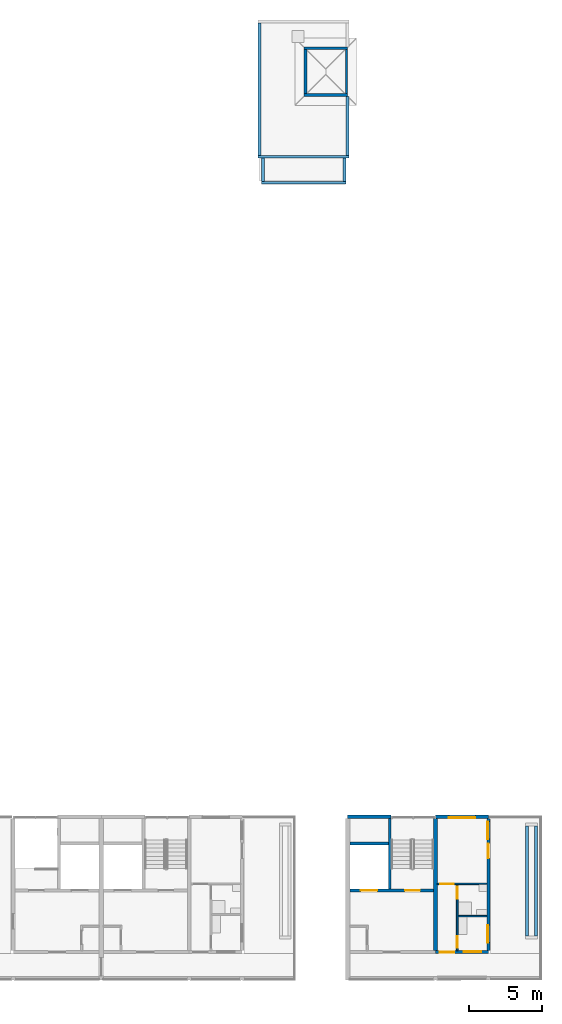
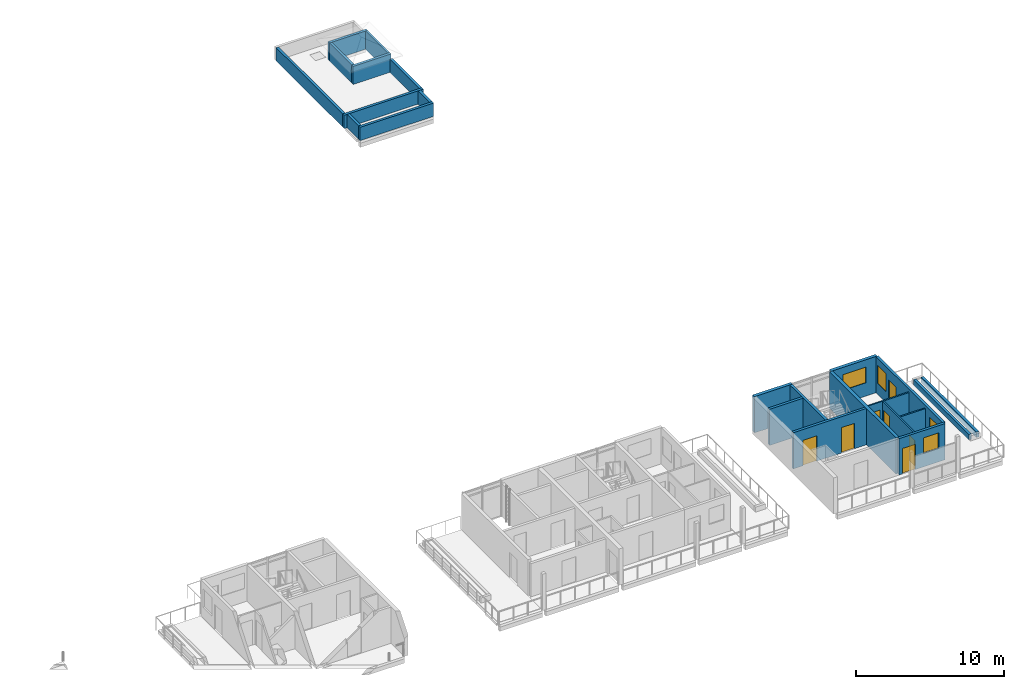
# One storey, part 25 of 41: 23 walls, 7 doors, 4 windows, 11 openings.
"""IFC4 building model written with IfcOpenShell, lengths in metres."""

from ifc_helpers import new_model, si_unit, direction, frame, frame_2d, origin, place, context, subcontext, project, spatial, rectangle, extrude, material, layer, layer_set, type_object, element, fill, save


model = new_model("IFC4")

# Units and contexts
model_context = context("Model", 3, precision=1e-05, world=origin(), true_north=direction((0.0, 1.0)))
body_context = subcontext(model_context, "Body", "Model", "MODEL_VIEW")
ifc_project = project(units=[si_unit("LENGTHUNIT", "METRE"), si_unit("AREAUNIT", "SQUARE_METRE"), si_unit("VOLUMEUNIT", "CUBIC_METRE"), si_unit("PLANEANGLEUNIT", "RADIAN"), si_unit("MASSUNIT", "GRAM", prefix="KILO")], contexts=[model_context])

# Site, building, storey
site_placement = place(None, origin())
site = spatial("IfcSite", under=ifc_project, at=site_placement, CompositionType="ELEMENT")
building_placement = place(site_placement, origin())
building = spatial("IfcBuilding", under=site, at=building_placement, Name="Ridgestep Commons", CompositionType="ELEMENT")
storey_placement = place(building_placement, frame((0.0, 0.0, 39.0)))
storey = spatial("IfcBuildingStorey", under=building, at=storey_placement, Name="L13", CompositionType="ELEMENT", Elevation=39.0)

# Wall
ifc_material_1 = material(Name="Concrete C30/37", Category="concrete")
ifc_layer_1 = layer(ifc_material_1, 0.25)
ifc_layer_set_1 = layer_set([ifc_layer_1], Name="Core cross wall 250")
wall_type_1 = type_object("IfcWallType", Name="Core cross wall 250", PredefinedType="SHEAR", material=ifc_layer_set_1)
wall_1_placement = place(storey_placement, frame((236.800048828125, 13.75, 0.0), z_axis=(0.0, 0.0, 1.0), x_axis=(0.0, 1.0, 0.0)))
element("IfcWall", 1, at=wall_1_placement, inside=storey, type_object=wall_type_1, Name="Cross wall D-13-2368", PredefinedType="SHEAR", context=body_context, shape_type="SweptSolid", body=[
    extrude(rectangle(XDim=9.0, YDim=0.25, at=frame_2d((4.5, 0.0))), origin(), (0.0, 0.0, 1.0), 3.0),
])

# Wall, openings, doors
ifc_material_2 = material(Name="Concrete C30/37", Category="concrete")
ifc_layer_2 = layer(ifc_material_2, 0.199951171875)
ifc_layer_set_2 = layer_set([ifc_layer_2], Name="Core wall 200")
wall_type_2 = type_object("IfcWallType", Name="Core wall 200", PredefinedType="SHEAR", material=ifc_layer_set_2)
wall_2_placement = place(storey_placement, frame((230.949951171875, 17.85009765625, 0.0), z_axis=(0.0, 0.0, 1.0), x_axis=(1.0, 0.0, 0.0)))
wall_2 = element("IfcWall", 2, at=wall_2_placement, inside=storey, type_object=wall_type_2, Name="Core lobby wall D6C L13", PredefinedType="SHEAR", context=body_context, shape_type="SweptSolid", body=[
    extrude(rectangle(XDim=5.72509765625, YDim=0.199951171875, at=frame_2d((2.862548828125, 0.0))), origin(), (0.0, 0.0, 1.0), 3.0),
])
opening_1_placement = place(wall_2_placement, frame((3.77490234375, 0.0, 0.0)))
opening_1 = element("IfcOpeningElement", 3, at=opening_1_placement, cuts=wall_2, Name="Opening D6C/13/2", PredefinedType="OPENING", context=body_context, shape_type="SweptSolid", body=[
    extrude(rectangle(XDim=1.0, YDim=2.10009765625, at=frame_2d((0.5, 1.050048828125))), frame((0.0, 0.10986328125, 0.0), z_axis=(0.0, -1.0, 0.0), x_axis=(1.0, 0.0, 0.0)), (0.0, 0.0, 1.0), 0.219970703125),
])
opening_2_placement = place(wall_2_placement, frame((0.762451171875, 0.0, 0.0)))
opening_2 = element("IfcOpeningElement", 4, at=opening_2_placement, cuts=wall_2, Name="Opening D6C/13/3", PredefinedType="OPENING", context=body_context, shape_type="SweptSolid", body=[
    extrude(rectangle(XDim=1.10009765625, YDim=2.10009765625, at=frame_2d((0.550048828125, 1.050048828125))), frame((0.0, 0.10986328125, 0.0), z_axis=(0.0, -1.0, 0.0), x_axis=(1.0, 0.0, 0.0)), (0.0, 0.0, 1.0), 0.219970703125),
])
ifc_material_3 = material(Name="Stainless steel", Category="steel")
door_type_1 = type_object("IfcDoorType", Name="Lift landing door 1100 x 2100 FD60", OperationType="DOUBLE_DOOR_SLIDING", PredefinedType="DOOR", material=ifc_material_3)
door_1_placement = place(opening_2_placement, origin())
door_1 = element("IfcDoor", 5, at=door_1_placement, inside=storey, type_object=door_type_1, Name="Landing door LD D6C L13", OperationType="DOUBLE_DOOR_SLIDING", OverallHeight=2.10009765625, OverallWidth=1.10009765625, PredefinedType="DOOR", context=body_context, shape_type="SweptSolid", body=[
    extrude(rectangle(XDim=1.10009765625, YDim=2.10009765625, at=frame_2d((0.550048828125, 1.050048828125))), frame((0.0, 0.02490234375, 0.0), z_axis=(0.0, -1.0, 0.0), x_axis=(1.0, 0.0, 0.0)), (0.0, 0.0, 1.0), 0.050048828125),
])
fill(opening_2, door_1)
ifc_material_4 = material(Name="Steel fire door", Category="steel")
door_type_2 = type_object("IfcDoorType", Name="Stair door 1000 x 2100 FD60", OperationType="NOTDEFINED", PredefinedType="DOOR", material=ifc_material_4)
door_2_placement = place(opening_1_placement, origin())
door_2 = element("IfcDoor", 6, at=door_2_placement, inside=storey, type_object=door_type_2, Name="Stair door D6C/13/2", OperationType="SINGLE_SWING_RIGHT", OverallHeight=2.10009765625, OverallWidth=1.0, PredefinedType="DOOR", context=body_context, shape_type="SweptSolid", body=[
    extrude(rectangle(XDim=1.0, YDim=2.10009765625, at=frame_2d((0.5, 1.050048828125))), frame((0.0, 0.02490234375, 0.0), z_axis=(0.0, -1.0, 0.0), x_axis=(1.0, 0.0, 0.0)), (0.0, 0.0, 1.0), 0.050048828125),
])
fill(opening_1, door_2)

# Walls
wall_3_placement = place(storey_placement, frame((233.675048828125, 17.949951171875, 0.0), z_axis=(0.0, 0.0, 1.0), x_axis=(0.0, 1.0, 0.0)))
element("IfcWall", 7, at=wall_3_placement, inside=storey, type_object=wall_type_2, Name="Core stair wall D6C L13", PredefinedType="SHEAR", context=body_context, shape_type="SweptSolid", body=[
    extrude(rectangle(XDim=4.800048828125, YDim=0.199951171875, at=frame_2d((2.39990234375, 0.0))), origin(), (0.0, 0.0, 1.0), 3.0),
])
wall_4_placement = place(storey_placement, frame((230.949951171875, 21.050048828125, 0.0), z_axis=(0.0, 0.0, 1.0), x_axis=(1.0, 0.0, 0.0)))
element("IfcWall", 8, at=wall_4_placement, inside=storey, type_object=wall_type_2, Name="Core duct wall D6C L13", PredefinedType="SHEAR", context=body_context, shape_type="SweptSolid", body=[
    extrude(rectangle(XDim=2.625, YDim=0.199951171875, at=frame_2d((1.3125, 0.0))), origin(), (0.0, 0.0, 1.0), 3.0),
])

# Wall, openings, windows, door
ifc_material_5 = material(Name="Precast concrete C40/50", Category="concrete")
ifc_layer_3 = layer(ifc_material_5, 0.199951171875)
ifc_layer_set_3 = layer_set([ifc_layer_3], Name="Exposed cross wall 200")
wall_type_3 = type_object("IfcWallType", Name="Exposed cross wall 200", PredefinedType="SHEAR", material=ifc_layer_set_3)
wall_5_placement = place(storey_placement, frame((240.39990234375, 13.75, 0.0), z_axis=(0.0, 0.0, 1.0), x_axis=(0.0, 1.0, 0.0)))
wall_5 = element("IfcWall", 9, at=wall_5_placement, inside=storey, type_object=wall_type_3, Name="Cross wall D-13-2404", PredefinedType="SHEAR", context=body_context, shape_type="SweptSolid", body=[
    extrude(rectangle(XDim=9.0, YDim=0.199951171875, at=frame_2d((4.5, 0.0))), origin(), (0.0, 0.0, 1.0), 3.0),
])
opening_3_placement = place(wall_5_placement, frame((0.550048828125, 0.0, 0.89990234375)))
opening_3 = element("IfcOpeningElement", 10, at=opening_3_placement, cuts=wall_5, Name="Opening W10", PredefinedType="OPENING", context=body_context, shape_type="SweptSolid", body=[
    extrude(rectangle(XDim=1.199951171875, YDim=1.5, at=frame_2d((0.60009765625, 0.75))), frame((0.0, 0.10986328125, 0.0), z_axis=(0.0, -1.0, 0.0), x_axis=(1.0, 0.0, 0.0)), (0.0, 0.0, 1.0), 0.219970703125),
])
opening_4_placement = place(wall_5_placement, frame((7.6025390625, 0.0, 0.89990234375)))
opening_4 = element("IfcOpeningElement", 11, at=opening_4_placement, cuts=wall_5, Name="Opening W10", PredefinedType="OPENING", context=body_context, shape_type="SweptSolid", body=[
    extrude(rectangle(XDim=1.199951171875, YDim=1.5, at=frame_2d((0.60009765625, 0.75))), frame((0.0, 0.10986328125, 0.0), z_axis=(0.0, -1.0, 0.0), x_axis=(1.0, 0.0, 0.0)), (0.0, 0.0, 1.0), 0.219970703125),
])
opening_5_placement = place(wall_5_placement, frame((6.304931640625, 0.0, 0.0)))
opening_5 = element("IfcOpeningElement", 12, at=opening_5_placement, cuts=wall_5, Name="Opening D6-13a/5", PredefinedType="OPENING", context=body_context, shape_type="SweptSolid", body=[
    extrude(rectangle(XDim=1.0, YDim=2.10009765625, at=frame_2d((0.5, 1.050048828125))), frame((0.0, 0.10986328125, 0.0), z_axis=(0.0, -1.0, 0.0), x_axis=(1.0, 0.0, 0.0)), (0.0, 0.0, 1.0), 0.219970703125),
])
ifc_material_6 = material(Name="Aluminium 6063-T6 and glass", Category="aluminium")
window_type_1 = type_object("IfcWindowType", Name="Flat window 1200 x 1500", PartitioningType="SINGLE_PANEL", PredefinedType="WINDOW", material=ifc_material_6)
window_1_placement = place(opening_3_placement, origin())
window_1 = element("IfcWindow", 13, at=window_1_placement, inside=storey, type_object=window_type_1, Name="Window D6-13a 3", OverallHeight=1.5, OverallWidth=1.199951171875, PartitioningType="SINGLE_PANEL", PredefinedType="WINDOW", context=body_context, shape_type="SweptSolid", body=[
    extrude(rectangle(XDim=1.199951171875, YDim=1.5, at=frame_2d((0.60009765625, 0.75))), frame((0.0, 0.06005859375, 0.0), z_axis=(0.0, -1.0, 0.0), x_axis=(1.0, 0.0, 0.0)), (0.0, 0.0, 1.0), 0.06005859375),
])
fill(opening_3, window_1)
window_2_placement = place(opening_4_placement, origin())
window_2 = element("IfcWindow", 14, at=window_2_placement, inside=storey, type_object=window_type_1, Name="Window D6-13a 4", OverallHeight=1.5, OverallWidth=1.199951171875, PartitioningType="SINGLE_PANEL", PredefinedType="WINDOW", context=body_context, shape_type="SweptSolid", body=[
    extrude(rectangle(XDim=1.199951171875, YDim=1.5, at=frame_2d((0.60009765625, 0.75))), frame((0.0, 0.06005859375, 0.0), z_axis=(0.0, -1.0, 0.0), x_axis=(1.0, 0.0, 0.0)), (0.0, 0.0, 1.0), 0.06005859375),
])
fill(opening_4, window_2)
ifc_material_7 = material(Name="Aluminium and glass", Category="aluminium")
door_type_3 = type_object("IfcDoorType", Name="Terrace door 1000 x 2100", OperationType="NOTDEFINED", PredefinedType="DOOR", material=ifc_material_7)
door_3_placement = place(opening_5_placement, origin())
door_3 = element("IfcDoor", 15, at=door_3_placement, inside=storey, type_object=door_type_3, Name="Terrace door D6-13a/5", OperationType="SINGLE_SWING_LEFT", OverallHeight=2.10009765625, OverallWidth=1.0, PredefinedType="DOOR", context=body_context, shape_type="SweptSolid", body=[
    extrude(rectangle(XDim=1.0, YDim=2.10009765625, at=frame_2d((0.5, 1.050048828125))), frame((0.0, 0.02490234375, 0.0), z_axis=(0.0, -1.0, 0.0), x_axis=(1.0, 0.0, 0.0)), (0.0, 0.0, 1.0), 0.050048828125),
])
fill(opening_5, door_3)

# Walls
ifc_material_8 = material(Name="Concrete C30/37", Category="concrete")
ifc_layer_4 = layer(ifc_material_8, 0.14990234375)
ifc_layer_set_4 = layer_set([ifc_layer_4], Name="Lift overrun wall 150")
wall_type_4 = type_object("IfcWallType", Name="Lift overrun wall 150", PredefinedType="SHEAR", material=ifc_layer_set_4)
wall_6_placement = place(storey_placement, frame((230.72509765625, 72.199951171875, 0.0), z_axis=(0.0, 0.0, 1.0), x_axis=(0.0, 1.0, 0.0)))
element("IfcWall", 16, at=wall_6_placement, inside=storey, type_object=wall_type_4, Name="Lift overrun wall C5C", PredefinedType="SHEAR", context=body_context, shape_type="SweptSolid", body=[
    extrude(rectangle(XDim=3.0, YDim=0.14990234375, at=frame_2d((1.5, 0.0))), origin(), (0.0, 0.0, 1.0), 1.5),
])
ifc_material_9 = material(Name="Concrete C30/37", Category="concrete")
ifc_layer_5 = layer(ifc_material_9, 0.199951171875)
ifc_layer_set_5 = layer_set([ifc_layer_5], Name="Lift overrun wall 200")
wall_type_5 = type_object("IfcWallType", Name="Lift overrun wall 200", PredefinedType="SHEAR", material=ifc_layer_set_5)
for number, where, z_axis, x_axis, name in (
    (17, (227.824951171875, 72.10009765625, 0.0), (0.0, 0.0, 1.0), (1.0, 0.0, 0.0), "Lift overrun wall C5C"),
    (18, (227.824951171875, 75.300048828125, 0.0), (0.0, 0.0, 1.0), (1.0, 0.0, 0.0), "Lift overrun wall C5C"),
):
    element("IfcWall", number, at=place(storey_placement, frame(where, z_axis=z_axis, x_axis=x_axis)), inside=storey, type_object=wall_type_5, Name=name, PredefinedType="SHEAR", context=body_context, shape_type="SweptSolid", body=[
        extrude(rectangle(XDim=2.97509765625, YDim=0.199951171875, at=frame_2d((1.487548828125, 0.0))), origin(), (0.0, 0.0, 1.0), 1.5),
    ])
wall_7_placement = place(storey_placement, frame((227.925048828125, 72.199951171875, 0.0), z_axis=(0.0, 0.0, 1.0), x_axis=(0.0, 1.0, 0.0)))
element("IfcWall", 19, at=wall_7_placement, inside=storey, type_object=wall_type_5, Name="Lift overrun wall C5C", PredefinedType="SHEAR", context=body_context, shape_type="SweptSolid", body=[
    extrude(rectangle(XDim=3.0, YDim=0.199951171875, at=frame_2d((1.5, 0.0))), origin(), (0.0, 0.0, 1.0), 1.5),
])
ifc_material_10 = material(Name="Precast concrete C40/50", Category="concrete")
ifc_layer_6 = layer(ifc_material_10, 0.25)
ifc_layer_set_6 = layer_set([ifc_layer_6], Name="North facade panel 250")
wall_type_6 = type_object("IfcWallType", Name="North facade panel 250", PredefinedType="SOLIDWALL", material=ifc_layer_set_6)
wall_8_placement = place(storey_placement, frame((230.800048828125, 22.875, 0.0), z_axis=(0.0, 0.0, 1.0), x_axis=(1.0, 0.0, 0.0)))
element("IfcWall", 20, at=wall_8_placement, inside=storey, type_object=wall_type_6, Name="North panel D6C L13", PredefinedType="SOLIDWALL", context=body_context, shape_type="SweptSolid", body=[
    extrude(rectangle(XDim=2.974853515625, YDim=0.25, at=frame_2d((1.4873046875, 0.0))), origin(), (0.0, 0.0, 1.0), 3.0),
])

# Wall, opening, window
wall_9_placement = place(storey_placement, frame((236.800048828125, 22.875, 0.0), z_axis=(0.0, 0.0, 1.0), x_axis=(1.0, 0.0, 0.0)))
wall_9 = element("IfcWall", 21, at=wall_9_placement, inside=storey, type_object=wall_type_6, Name="North panel D6T3 L13", PredefinedType="SOLIDWALL", context=body_context, shape_type="SweptSolid", body=[
    extrude(rectangle(XDim=3.599853515625, YDim=0.25, at=frame_2d((1.7998046875, 0.0))), origin(), (0.0, 0.0, 1.0), 3.0),
])
opening_6_placement = place(wall_9_placement, frame((0.91259765625, 0.0, 1.10009765625)))
opening_6 = element("IfcOpeningElement", 22, at=opening_6_placement, cuts=wall_9, Name="Opening W18", PredefinedType="OPENING", context=body_context, shape_type="SweptSolid", body=[
    extrude(rectangle(XDim=1.800048828125, YDim=1.300048828125, at=frame_2d((0.89990234375, 0.64990234375))), frame((0.0, 0.135009765625, 0.0), z_axis=(0.0, -1.0, 0.0), x_axis=(1.0, 0.0, 0.0)), (0.0, 0.0, 1.0), 0.27001953125),
])
ifc_material_11 = material(Name="Aluminium 6063-T6 and glass", Category="aluminium")
window_type_2 = type_object("IfcWindowType", Name="Flat window 1800 x 1300", PartitioningType="DOUBLE_PANEL_VERTICAL", PredefinedType="WINDOW", material=ifc_material_11)
window_3_placement = place(opening_6_placement, origin())
window_3 = element("IfcWindow", 23, at=window_3_placement, inside=storey, type_object=window_type_2, Name="Window D6-13a 2", OverallHeight=1.300048828125, OverallWidth=1.800048828125, PartitioningType="SINGLE_PANEL", PredefinedType="WINDOW", context=body_context, shape_type="SweptSolid", body=[
    extrude(rectangle(XDim=1.800048828125, YDim=1.300048828125, at=frame_2d((0.89990234375, 0.64990234375))), frame((0.0, -0.02490234375, 0.0), z_axis=(0.0, -1.0, 0.0), x_axis=(1.0, 0.0, 0.0)), (0.0, 0.0, 1.0), 0.06005859375),
])
fill(opening_6, window_3)

# Walls
ifc_material_12 = material(Name="Precast concrete C40/50", Category="concrete")
ifc_layer_7 = layer(ifc_material_12, 0.199951171875)
ifc_layer_set_7 = layer_set([ifc_layer_7], Name="Parapet wall 200")
wall_type_7 = type_object("IfcWallType", Name="Parapet wall 200", PredefinedType="PARAPET", material=ifc_layer_set_7)
wall_10_placement = place(storey_placement, frame((224.699951171875, 67.89990234375, 0.0), z_axis=(0.0, 0.0, 1.0), x_axis=(1.0, 0.0, 0.0)))
element("IfcWall", 24, at=wall_10_placement, inside=storey, type_object=wall_type_7, Name="Parapet C5C south", PredefinedType="PARAPET", context=body_context, shape_type="SweptSolid", body=[
    extrude(rectangle(XDim=6.199951171875, YDim=0.199951171875, at=frame_2d((3.10009765625, 0.0))), origin(), (0.0, 0.0, 1.0), 1.10009765625),
])
wall_11_placement = place(storey_placement, frame((224.800048828125, 68.0, 0.0), z_axis=(0.0, 0.0, 1.0), x_axis=(0.0, 1.0, 0.0)))
element("IfcWall", 25, at=wall_11_placement, inside=storey, type_object=wall_type_7, Name="Parapet C5C west", PredefinedType="PARAPET", context=body_context, shape_type="SweptSolid", body=[
    extrude(rectangle(XDim=9.02490234375, YDim=0.199951171875, at=frame_2d((4.512451171875, 0.0))), origin(), (0.0, 0.0, 1.0), 1.10009765625),
])
wall_12_placement = place(storey_placement, frame((230.800048828125, 68.0, 0.0), z_axis=(0.0, 0.0, 1.0), x_axis=(0.0, 1.0, 0.0)))
element("IfcWall", 26, at=wall_12_placement, inside=storey, type_object=wall_type_7, Name="Parapet C5C east", PredefinedType="PARAPET", context=body_context, shape_type="SweptSolid", body=[
    extrude(rectangle(XDim=4.0, YDim=0.199951171875, at=frame_2d((2.0, 0.0))), origin(), (0.0, 0.0, 1.0), 1.10009765625),
])
wall_13_placement = place(storey_placement, frame((224.925048828125, 66.125, 0.0), z_axis=(0.0, 0.0, 1.0), x_axis=(1.0, 0.0, 0.0)))
element("IfcWall", 27, at=wall_13_placement, inside=storey, type_object=wall_type_7, Name="Parapet C5C gallery south", PredefinedType="PARAPET", context=body_context, shape_type="SweptSolid", body=[
    extrude(rectangle(XDim=5.75, YDim=0.199951171875, at=frame_2d((2.875, 0.0))), origin(), (0.0, 0.0, 1.0), 1.10009765625),
])
for number, where, z_axis, x_axis, name in (
    (28, (225.02490234375, 66.22509765625, 0.0), (0.0, 0.0, 1.0), (0.0, 1.0, 0.0), "Parapet C5C gallery west"),
    (29, (230.574951171875, 66.22509765625, 0.0), (0.0, 0.0, 1.0), (0.0, 1.0, 0.0), "Parapet C5C gallery east"),
):
    element("IfcWall", number, at=place(storey_placement, frame(where, z_axis=z_axis, x_axis=x_axis)), inside=storey, type_object=wall_type_7, Name=name, PredefinedType="PARAPET", context=body_context, shape_type="SweptSolid", body=[
        extrude(rectangle(XDim=1.574951171875, YDim=0.199951171875, at=frame_2d((0.78759765625, 0.0))), origin(), (0.0, 0.0, 1.0), 1.10009765625),
    ])

# Wall, openings, doors
ifc_material_13 = material(Name="Common brick 110 mm", Category="masonry")
ifc_layer_8 = layer(ifc_material_13, 0.110107421875)
ifc_layer_set_8 = layer_set([ifc_layer_8], Name="Partition 110")
wall_type_8 = type_object("IfcWallType", Name="Partition 110", PredefinedType="PARTITIONING", material=ifc_layer_set_8)
wall_14_placement = place(storey_placement, frame((238.280029296875, 13.75, 0.0), z_axis=(0.0, 0.0, 1.0), x_axis=(0.0, 1.0, 0.0)))
wall_14 = element("IfcWall", 30, at=wall_14_placement, inside=storey, type_object=wall_type_8, Name="Partition D6-13a", PredefinedType="PARTITIONING", context=body_context, shape_type="SweptSolid", body=[
    extrude(rectangle(XDim=4.5, YDim=0.110107421875, at=frame_2d((2.25, 0.0))), origin(), (0.0, 0.0, 1.0), 2.75),
])
opening_7_placement = place(wall_14_placement, frame((0.199951171875, 0.0, 0.0)))
opening_7 = element("IfcOpeningElement", 31, at=opening_7_placement, cuts=wall_14, Name="Opening D6-13a/2", PredefinedType="OPENING", context=body_context, shape_type="SweptSolid", body=[
    extrude(rectangle(XDim=0.800048828125, YDim=2.10009765625, at=frame_2d((0.39990234375, 1.050048828125))), frame((0.0, 0.06494140625, 0.0), z_axis=(0.0, -1.0, 0.0), x_axis=(1.0, 0.0, 0.0)), (0.0, 0.0, 1.0), 0.130126953125),
])
opening_8_placement = place(wall_14_placement, frame((3.550048828125, 0.0, 0.0)))
opening_8 = element("IfcOpeningElement", 32, at=opening_8_placement, cuts=wall_14, Name="Opening D6-13a/3", PredefinedType="OPENING", context=body_context, shape_type="SweptSolid", body=[
    extrude(rectangle(XDim=0.800048828125, YDim=2.10009765625, at=frame_2d((0.39990234375, 1.050048828125))), frame((0.0, 0.06494140625, 0.0), z_axis=(0.0, -1.0, 0.0), x_axis=(1.0, 0.0, 0.0)), (0.0, 0.0, 1.0), 0.130126953125),
])
ifc_material_14 = material(Name="Timber door leaf", Category="wood")
door_type_4 = type_object("IfcDoorType", Name="Internal door 800 x 2100", OperationType="NOTDEFINED", PredefinedType="DOOR", material=ifc_material_14)
door_4_placement = place(opening_7_placement, origin())
door_4 = element("IfcDoor", 33, at=door_4_placement, inside=storey, type_object=door_type_4, Name="Internal door D6-13a/2", OperationType="SINGLE_SWING_RIGHT", OverallHeight=2.10009765625, OverallWidth=0.800048828125, PredefinedType="DOOR", context=body_context, shape_type="SweptSolid", body=[
    extrude(rectangle(XDim=0.800048828125, YDim=2.10009765625, at=frame_2d((0.39990234375, 1.050048828125))), frame((0.0, 0.02490234375, 0.0), z_axis=(0.0, -1.0, 0.0), x_axis=(1.0, 0.0, 0.0)), (0.0, 0.0, 1.0), 0.050048828125),
])
fill(opening_7, door_4)
door_5_placement = place(opening_8_placement, origin())
door_5 = element("IfcDoor", 34, at=door_5_placement, inside=storey, type_object=door_type_4, Name="Internal door D6-13a/3", OperationType="SINGLE_SWING_LEFT", OverallHeight=2.10009765625, OverallWidth=0.800048828125, PredefinedType="DOOR", context=body_context, shape_type="SweptSolid", body=[
    extrude(rectangle(XDim=0.800048828125, YDim=2.10009765625, at=frame_2d((0.39990234375, 1.050048828125))), frame((0.0, 0.02490234375, 0.0), z_axis=(0.0, -1.0, 0.0), x_axis=(1.0, 0.0, 0.0)), (0.0, 0.0, 1.0), 0.050048828125),
])
fill(opening_8, door_5)

# Wall
wall_15_placement = place(storey_placement, frame((238.3349609375, 16.10498046875, 0.0), z_axis=(0.0, 0.0, 1.0), x_axis=(1.0, 0.0, 0.0)))
element("IfcWall", 35, at=wall_15_placement, inside=storey, type_object=wall_type_8, Name="Partition D6-13a", PredefinedType="PARTITIONING", context=body_context, shape_type="SweptSolid", body=[
    extrude(rectangle(XDim=1.965087890625, YDim=0.110107421875, at=frame_2d((0.982421875, 0.0))), origin(), (0.0, 0.0, 1.0), 2.75),
])

# Wall, opening, door
wall_16_placement = place(storey_placement, frame((236.925048828125, 18.304931640625, 0.0), z_axis=(0.0, 0.0, 1.0), x_axis=(1.0, 0.0, 0.0)))
wall_16 = element("IfcWall", 36, at=wall_16_placement, inside=storey, type_object=wall_type_8, Name="Partition D6-13a", PredefinedType="PARTITIONING", context=body_context, shape_type="SweptSolid", body=[
    extrude(rectangle(XDim=3.375, YDim=0.110107421875, at=frame_2d((1.6875, 0.0))), origin(), (0.0, 0.0, 1.0), 2.75),
])
opening_9_placement = place(wall_16_placement, frame((0.199951171875, 0.0, 0.0)))
opening_9 = element("IfcOpeningElement", 37, at=opening_9_placement, cuts=wall_16, Name="Opening D6-13a/4", PredefinedType="OPENING", context=body_context, shape_type="SweptSolid", body=[
    extrude(rectangle(XDim=0.89990234375, YDim=2.10009765625, at=frame_2d((0.449951171875, 1.050048828125))), frame((0.0, 0.06494140625, 0.0), z_axis=(0.0, -1.0, 0.0), x_axis=(1.0, 0.0, 0.0)), (0.0, 0.0, 1.0), 0.130126953125),
])
ifc_material_15 = material(Name="Timber door leaf", Category="wood")
door_type_5 = type_object("IfcDoorType", Name="Internal door 900 x 2100", OperationType="NOTDEFINED", PredefinedType="DOOR", material=ifc_material_15)
door_6_placement = place(opening_9_placement, origin())
door_6 = element("IfcDoor", 38, at=door_6_placement, inside=storey, type_object=door_type_5, Name="Internal door D6-13a/4", OperationType="SINGLE_SWING_LEFT", OverallHeight=2.10009765625, OverallWidth=0.89990234375, PredefinedType="DOOR", context=body_context, shape_type="SweptSolid", body=[
    extrude(rectangle(XDim=0.89990234375, YDim=2.10009765625, at=frame_2d((0.449951171875, 1.050048828125))), frame((0.0, 0.02490234375, 0.0), z_axis=(0.0, -1.0, 0.0), x_axis=(1.0, 0.0, 0.0)), (0.0, 0.0, 1.0), 0.050048828125),
])
fill(opening_9, door_6)

# Walls
ifc_material_16 = material(Name="Facing brick", Category="masonry")
ifc_layer_9 = layer(ifc_material_16, 0.199951171875)
ifc_layer_set_9 = layer_set([ifc_layer_9], Name="Planter wall 200")
wall_type_9 = type_object("IfcWallType", Name="Planter wall 200", PredefinedType="SOLIDWALL", material=ifc_layer_set_9)
for number, where, z_axis, x_axis, name in (
    (39, (243.050048828125, 14.75, 0.010009765625), (0.0, 0.0, 1.0), (0.0, 1.0, 0.0), "Planter wall D6R2W"),
    (40, (243.64990234375, 14.75, 0.010009765625), (0.0, 0.0, 1.0), (0.0, 1.0, 0.0), "Planter wall D6R2E"),
):
    element("IfcWall", number, at=place(storey_placement, frame(where, z_axis=z_axis, x_axis=x_axis)), inside=storey, type_object=wall_type_9, Name=name, PredefinedType="SOLIDWALL", context=body_context, shape_type="SweptSolid", body=[
        extrude(rectangle(XDim=7.5, YDim=0.199951171875, at=frame_2d((3.75, 0.0))), origin(), (0.0, 0.0, 1.0), 0.449951171875),
    ])

# Wall, openings, door, window
ifc_material_17 = material(Name="Precast concrete C40/50", Category="concrete")
ifc_layer_10 = layer(ifc_material_17, 0.199951171875)
ifc_layer_set_10 = layer_set([ifc_layer_10], Name="South facade panel 200")
wall_type_10 = type_object("IfcWallType", Name="South facade panel 200", PredefinedType="SOLIDWALL", material=ifc_layer_set_10)
wall_17_placement = place(storey_placement, frame((236.800048828125, 13.64990234375, 0.0), z_axis=(0.0, 0.0, 1.0), x_axis=(1.0, 0.0, 0.0)))
wall_17 = element("IfcWall", 41, at=wall_17_placement, inside=storey, type_object=wall_type_10, Name="South panel D6T3 L13", PredefinedType="SOLIDWALL", context=body_context, shape_type="SweptSolid", body=[
    extrude(rectangle(XDim=3.599853515625, YDim=0.199951171875, at=frame_2d((1.7998046875, 0.0))), origin(), (0.0, 0.0, 1.0), 3.0),
])
opening_10_placement = place(wall_17_placement, frame((1.91748046875, 0.0, 1.10009765625)))
opening_10 = element("IfcOpeningElement", 42, at=opening_10_placement, cuts=wall_17, Name="Opening W08", PredefinedType="OPENING", context=body_context, shape_type="SweptSolid", body=[
    extrude(rectangle(XDim=1.199951171875, YDim=1.300048828125, at=frame_2d((0.60009765625, 0.64990234375))), frame((0.0, 0.10986328125, 0.0), z_axis=(0.0, -1.0, 0.0), x_axis=(1.0, 0.0, 0.0)), (0.0, 0.0, 1.0), 0.219970703125),
])
opening_11_placement = place(wall_17_placement, frame((0.27490234375, 0.0, 0.0)))
opening_11 = element("IfcOpeningElement", 43, at=opening_11_placement, cuts=wall_17, Name="Opening D6-13a/1", PredefinedType="OPENING", context=body_context, shape_type="SweptSolid", body=[
    extrude(rectangle(XDim=1.0, YDim=2.10009765625, at=frame_2d((0.5, 1.050048828125))), frame((0.0, 0.10986328125, 0.0), z_axis=(0.0, -1.0, 0.0), x_axis=(1.0, 0.0, 0.0)), (0.0, 0.0, 1.0), 0.219970703125),
])
ifc_material_18 = material(Name="Timber door leaf", Category="wood")
door_type_6 = type_object("IfcDoorType", Name="Flat entrance door 1000 x 2100 FD30S", OperationType="NOTDEFINED", PredefinedType="DOOR", material=ifc_material_18)
door_7_placement = place(opening_11_placement, origin())
door_7 = element("IfcDoor", 44, at=door_7_placement, inside=storey, type_object=door_type_6, Name="Flat entrance door D6-13a/1", OperationType="SINGLE_SWING_LEFT", OverallHeight=2.10009765625, OverallWidth=1.0, PredefinedType="DOOR", context=body_context, shape_type="SweptSolid", body=[
    extrude(rectangle(XDim=1.0, YDim=2.10009765625, at=frame_2d((0.5, 1.050048828125))), frame((0.0, 0.02490234375, 0.0), z_axis=(0.0, -1.0, 0.0), x_axis=(1.0, 0.0, 0.0)), (0.0, 0.0, 1.0), 0.050048828125),
])
fill(opening_11, door_7)
ifc_material_19 = material(Name="Aluminium 6063-T6 and glass", Category="aluminium")
window_type_3 = type_object("IfcWindowType", Name="Flat window 1200 x 1300", PartitioningType="SINGLE_PANEL", PredefinedType="WINDOW", material=ifc_material_19)
window_4_placement = place(opening_10_placement, origin())
window_4 = element("IfcWindow", 45, at=window_4_placement, inside=storey, type_object=window_type_3, Name="Window D6-13a 1", OverallHeight=1.300048828125, OverallWidth=1.199951171875, PartitioningType="SINGLE_PANEL", PredefinedType="WINDOW", context=body_context, shape_type="SweptSolid", body=[
    extrude(rectangle(XDim=1.199951171875, YDim=1.300048828125, at=frame_2d((0.60009765625, 0.64990234375))), frame((0.0, 0.06005859375, 0.0), z_axis=(0.0, -1.0, 0.0), x_axis=(1.0, 0.0, 0.0)), (0.0, 0.0, 1.0), 0.06005859375),
])
fill(opening_10, window_4)

save(model, "model.ifc")
